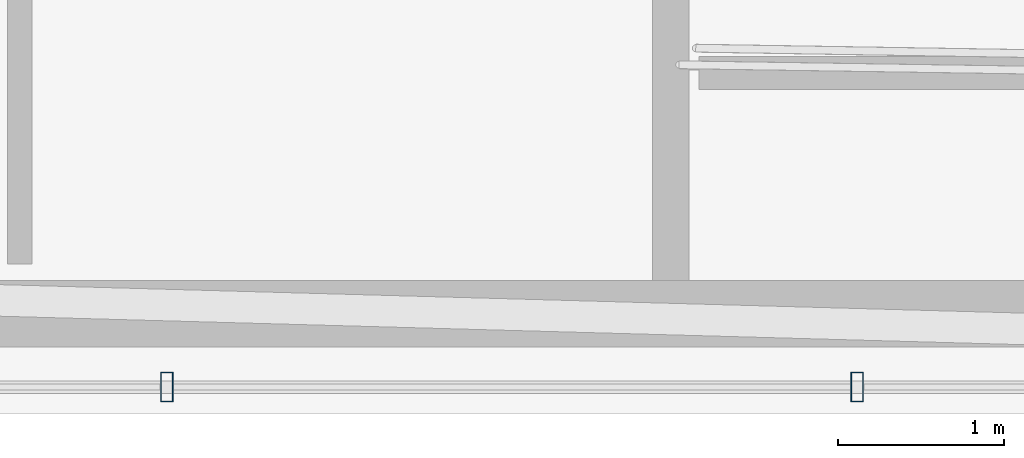
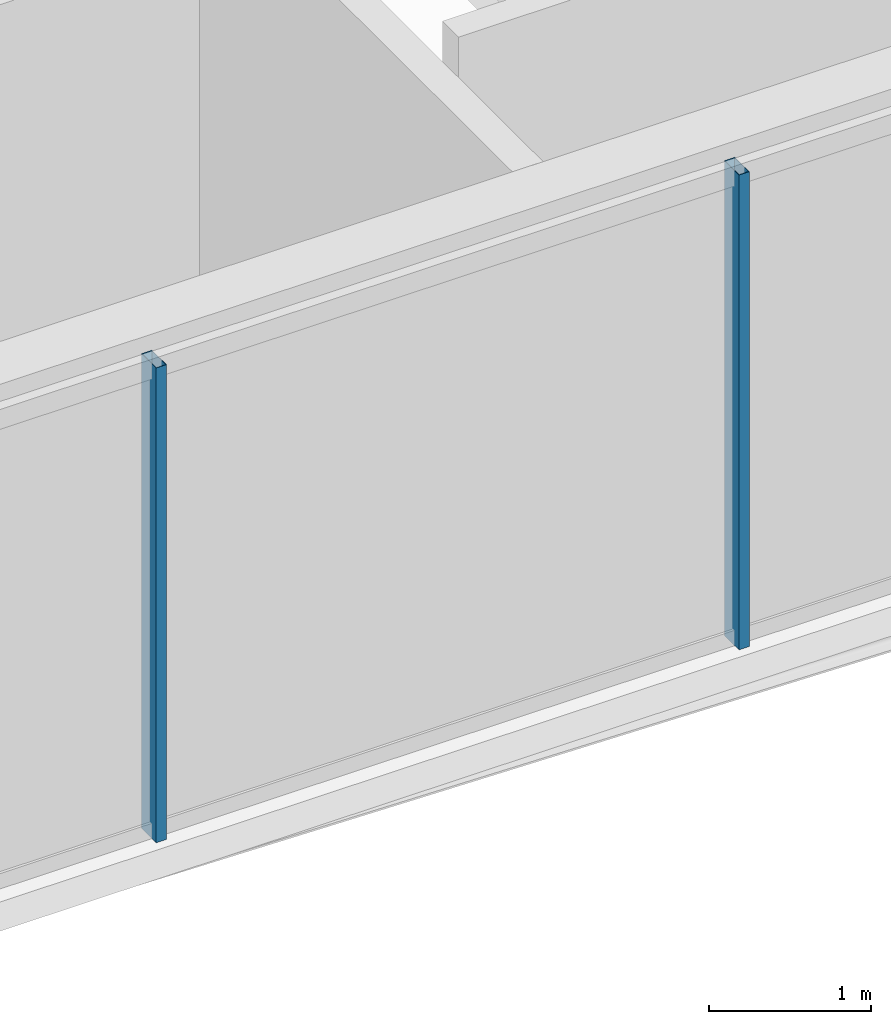
# One storey, part 7 of 35: 2 members, 1 element without a shape of its own.
"""IFC4 building model written with IfcOpenShell, lengths in metres."""

import ifcopenshell
import ifcopenshell.guid

model = None  # the IFC model being written
_history = None  # IfcOwnerHistory: only IFC2X3 demands one
_inside = {}  # id of a spatial element -> (the spatial element, [elements in it])
_under = {}  # id of a project, library or spatial element -> (it, [spatial elements below it])
_declared = {}  # id of a project -> (the project, [libraries it declares])
_typed = {}  # id of a type object -> (the type object, [elements of that type])
_made_of = {}  # id of a material, layer set ... -> (it, [elements and type objects made of it])


def new_model(schema):
    """Start an empty IFC model of exactly this schema.

    Asked for "IFC4X3", IfcOpenShell would pick the latest addendum, in which some entities
    have other attributes; the version numbers below select the first issue.
    IFC2X3 requires an IfcOwnerHistory on every rooted entity: one is made here for all.
    """
    global model, _history
    if schema == "IFC4X3":
        model = ifcopenshell.file(schema_version=(4, 3, 0, 0))
    else:
        model = ifcopenshell.file(schema=schema)
    _inside.clear()
    _under.clear()
    _declared.clear()
    _typed.clear()
    _made_of.clear()
    _history = None
    if model.schema == "IFC2X3":
        org = make("IfcOrganization", Name="unknown")
        user = make(
            "IfcPersonAndOrganization",
            ThePerson=make("IfcPerson", FamilyName="unknown"),
            TheOrganization=org,
        )
        app = make(
            "IfcApplication",
            ApplicationDeveloper=org,
            Version="unknown",
            ApplicationFullName="unknown",
            ApplicationIdentifier="unknown",
        )
        _history = make(
            "IfcOwnerHistory",
            OwningUser=user,
            OwningApplication=app,
            ChangeAction="ADDED",
            CreationDate=0,
        )
    return model


def make(cls, **values):
    """One entity of the class cls with the attributes given. An attribute that is None is left unset."""
    return model.create_entity(
        cls, **{name: value for name, value in values.items() if value is not None}
    )


def rooted(cls, **values):
    """An entity with a GlobalId (a new one), such as an element, a storey or a relation."""
    return make(cls, GlobalId=ifcopenshell.guid.new(), OwnerHistory=_history, **values)


def si_unit(unit_type, name, prefix=None):
    """IfcSIUnit, for example si_unit("LENGTHUNIT", "METRE", prefix="MILLI")."""
    return make("IfcSIUnit", UnitType=unit_type, Prefix=prefix, Name=name)


def assignment(units):
    """IfcUnitAssignment: the units of a project."""
    return None if units is None else make("IfcUnitAssignment", Units=units)


def point(xyz):
    """IfcCartesianPoint."""
    return None if xyz is None else make("IfcCartesianPoint", Coordinates=xyz)


def direction(xyz):
    """IfcDirection."""
    return None if xyz is None else make("IfcDirection", DirectionRatios=xyz)


def frame(location, z_axis=None, x_axis=None):
    """IfcAxis2Placement3D, a coordinate frame: its origin and axes. An axis left out is left unset."""
    return make(
        "IfcAxis2Placement3D",
        Location=point(location),
        Axis=direction(z_axis),
        RefDirection=direction(x_axis),
    )


def frame_2d(location, x_axis=None):
    """IfcAxis2Placement2D, a coordinate frame in the plane: its origin and x axis."""
    return make(
        "IfcAxis2Placement2D", Location=point(location), RefDirection=direction(x_axis)
    )


def origin():
    """The frame at (0, 0, 0) with its axes left unset."""
    return frame((0.0, 0.0, 0.0))


def origin_2d():
    """The frame at (0, 0) in the plane with its x axis left unset."""
    return frame_2d((0.0, 0.0))


def place(relative_to, where):
    """IfcLocalPlacement: puts the frame where relative to a parent placement (None: the world)."""
    return make(
        "IfcLocalPlacement", PlacementRelTo=relative_to, RelativePlacement=where
    )


def context(
    kind, dimensions, precision=None, world=None, true_north=None, identifier=None
):
    """IfcGeometricRepresentationContext, for example the 3D "Model" context."""
    return make(
        "IfcGeometricRepresentationContext",
        ContextIdentifier=identifier,
        ContextType=kind,
        CoordinateSpaceDimension=dimensions,
        Precision=precision,
        WorldCoordinateSystem=world,
        TrueNorth=true_north,
    )


def subcontext(parent, identifier, kind, view, scale=None):
    """IfcGeometricRepresentationSubContext, for example "Body" below "Model"."""
    return make(
        "IfcGeometricRepresentationSubContext",
        ContextIdentifier=identifier,
        ContextType=kind,
        ParentContext=parent,
        TargetScale=scale,
        TargetView=view,
    )


def project(units=None, contexts=None):
    """IfcProject with its units and contexts."""
    return rooted(
        "IfcProject",
        Name="project",
        RepresentationContexts=contexts,
        UnitsInContext=assignment(units),
    )


def spatial(cls, under=None, at=None, **own):
    """A site, building, storey or space (cls), placed at a placement, below another one or the project."""
    s = rooted(cls, ObjectPlacement=at, **own)
    if under is not None:
        _under.setdefault(under.id(), (under, []))[1].append(s)
    return s


def profile(cls, at=None, kind="AREA", **sizes):
    """A parametric profile (cls). Its sizes go by their IFC names, for example OverallWidth=200.0."""
    return make(cls, ProfileType=kind, Position=at, **sizes)


def hollow_rectangle(**sizes):
    """IfcRectangleHollowProfileDef."""
    return profile("IfcRectangleHollowProfileDef", **sizes)


def extrude(swept, where, along, depth):
    """IfcExtrudedAreaSolid: the profile swept, set in the frame where, extruded along a direction by depth."""
    return make(
        "IfcExtrudedAreaSolid",
        SweptArea=swept,
        Position=where,
        ExtrudedDirection=direction(along),
        Depth=depth,
    )


def shape(context_of_items, identifier, shape_type, items):
    """IfcShapeRepresentation: the items that make up one representation, for example the "Body"."""
    return make(
        "IfcShapeRepresentation",
        ContextOfItems=context_of_items,
        RepresentationIdentifier=identifier,
        RepresentationType=shape_type,
        Items=items,
    )


def material(Name=None, Category=None):
    """IfcMaterial."""
    return make("IfcMaterial", Name=Name, Category=Category)


def layer(
    of_material, thickness, ventilated=None, Name=None, Category=None, Priority=None
):
    """IfcMaterialLayer: one layer of a wall or slab, of a material (None: an air gap)."""
    return make(
        "IfcMaterialLayer",
        Material=of_material,
        LayerThickness=thickness,
        IsVentilated=ventilated,
        Name=Name,
        Category=Category,
        Priority=Priority,
    )


def layer_set(layers, Name=None):
    """IfcMaterialLayerSet."""
    return make("IfcMaterialLayerSet", MaterialLayers=layers, LayerSetName=Name)


def material_profile(
    of_material, cross_section, Name=None, Category=None, Priority=None
):
    """IfcMaterialProfile: a cross section and its material."""
    return make(
        "IfcMaterialProfile",
        Name=Name,
        Material=of_material,
        Profile=cross_section,
        Priority=Priority,
        Category=Category,
    )


def profile_set(profiles, Name=None, composite=None):
    """IfcMaterialProfileSet."""
    return make(
        "IfcMaterialProfileSet",
        Name=Name,
        MaterialProfiles=profiles,
        CompositeProfile=composite,
    )


def made_of(thing, what):
    """Note that an element or type object is made of a material, layer set ...; save() writes the relation."""
    if what is not None:
        _made_of.setdefault(what.id(), (what, []))[1].append(thing)
    return thing


def type_object(cls, material=None, **own):
    """A type object (cls), such as IfcWallType, which elements share."""
    return made_of(rooted(cls, **own), material)


def element(
    cls,
    number,
    at=None,
    inside=None,
    cuts=None,
    type_object=None,
    material=None,
    context=None,
    identifier="Body",
    shape_type=None,
    held_by="IfcProductDefinitionShape",
    body=None,
    shapes=None,
    **own,
):
    """One element of the class cls, such as IfcWall. Its Tag is "e" and its number.

    at: its placement. inside: the storey or other place that contains it. cuts: it is an
    opening in that element (IfcRelVoidsElement). A single representation is given by context,
    identifier, shape_type and body (its items); several are given by shapes. held_by: the class
    of the entity that holds the representations. save() writes the other relations.
    """
    e = rooted(cls, Tag="e%d" % number, ObjectPlacement=at, **own)
    if body is not None:
        shapes = [shape(context, identifier, shape_type, body)]
    if shapes is not None:
        e.Representation = make(held_by, Representations=shapes)
    if inside is not None:
        _inside.setdefault(inside.id(), (inside, []))[1].append(e)
    if cuts is not None:
        rooted(
            "IfcRelVoidsElement", RelatingBuildingElement=cuts, RelatedOpeningElement=e
        )
    if type_object is not None:
        _typed.setdefault(type_object.id(), (type_object, []))[1].append(e)
    return made_of(e, material)


def aggregate(whole, parts):
    """IfcRelAggregates: a whole, such as a stair, and the parts it consists of."""
    return rooted("IfcRelAggregates", RelatingObject=whole, RelatedObjects=parts)


def save(model, path):
    """Write the relations noted so far, then the file.

    IfcRelAggregates (storeys below a building ...), IfcRelContainedInSpatialStructure (elements
    in a storey), IfcRelDefinesByType, IfcRelAssociatesMaterial and IfcRelDeclares: one each for
    every whole, place, type object, material and project.
    """
    for whole, parts in _under.values():
        aggregate(whole, parts)
    for where, things in _inside.values():
        rooted(
            "IfcRelContainedInSpatialStructure",
            RelatedElements=things,
            RelatingStructure=where,
        )
    for kind, things in _typed.values():
        rooted("IfcRelDefinesByType", RelatedObjects=things, RelatingType=kind)
    for what, things in _made_of.values():
        rooted("IfcRelAssociatesMaterial", RelatedObjects=things, RelatingMaterial=what)
    for by, libraries in _declared.values():
        rooted("IfcRelDeclares", RelatingContext=by, RelatedDefinitions=libraries)
    model.write(path)


model = new_model("IFC4")

# Units and contexts
model_context = context("Model", 3, precision=1e-05, world=origin(), true_north=direction((0.0, 1.0)))
body_context = subcontext(model_context, "Body", "Model", "MODEL_VIEW")
ifc_project = project(units=[si_unit("LENGTHUNIT", "METRE"), si_unit("AREAUNIT", "SQUARE_METRE"), si_unit("VOLUMEUNIT", "CUBIC_METRE"), si_unit("PLANEANGLEUNIT", "RADIAN"), si_unit("MASSUNIT", "GRAM", prefix="KILO")], contexts=[model_context])

# Site, building, storey
site_placement = place(None, origin())
site = spatial("IfcSite", under=ifc_project, at=site_placement, CompositionType="ELEMENT")
building_placement = place(site_placement, origin())
building = spatial("IfcBuilding", under=site, at=building_placement, Name="Ndaravel Arena Tower", CompositionType="ELEMENT")
storey_placement = place(building_placement, frame((0.0, 0.0, 176.39990234375)))
storey = spatial("IfcBuildingStorey", under=building, at=storey_placement, Name="L42", CompositionType="ELEMENT", Elevation=176.39990234375)

# Curtain wall, members
ifc_material_1 = material(Name="Aluminium", Category="aluminium")
ifc_layer = layer(ifc_material_1, 0.179931640625)
ifc_layer_set = layer_set([ifc_layer], Name="Aluminium")
curtain_wall_type = type_object("IfcCurtainWallType", Name="CW-SYS-03", PredefinedType="NOTDEFINED", material=ifc_layer_set)
curtain_wall_placement = place(storey_placement, origin())
curtain_wall = element("IfcCurtainWall", 1, at=curtain_wall_placement, inside=storey, type_object=curtain_wall_type, Name="L42 Faceted Crystal Curtain Wall CW-L42-E01", PredefinedType="NOTDEFINED")
ifc_material_2 = material(Name="Aluminium", Category="aluminium")
ifc_material_profile = material_profile(ifc_material_2, hollow_rectangle(XDim=0.074951171875, YDim=0.179931640625, WallThickness=0.00390625, at=origin_2d()), Name="CW MULLION 75x180x4")
ifc_profile_set = profile_set([ifc_material_profile], Name="Aluminium")
member_type = type_object("IfcMemberType", Name="MEM-CW-MUL180", PredefinedType="MULLION", material=ifc_profile_set)
member_1_placement = place(storey_placement, frame((35.765380859375, 5.159912109375, 0.0), z_axis=(0.0, 0.0, 1.0), x_axis=(1.0, 0.0, 0.0)))
member_1 = element("IfcMember", 2, at=member_1_placement, type_object=member_type, Name="CW-L42-E01 Mullion 03", PredefinedType="MULLION", context=body_context, shape_type="SweptSolid", body=[
    extrude(hollow_rectangle(XDim=0.074951171875, YDim=0.179931640625, WallThickness=0.00390625, at=origin_2d()), origin(), (0.0, 0.0, 1.0), 3.580078125),
])
member_2_placement = place(storey_placement, frame((39.921875, 5.159912109375, 0.0), z_axis=(0.0, 0.0, 1.0), x_axis=(1.0, 0.0, 0.0)))
member_2 = element("IfcMember", 3, at=member_2_placement, type_object=member_type, Name="CW-L42-E01 Mullion 04", PredefinedType="MULLION", context=body_context, shape_type="SweptSolid", body=[
    extrude(hollow_rectangle(XDim=0.074951171875, YDim=0.179931640625, WallThickness=0.00390625, at=origin_2d()), origin(), (0.0, 0.0, 1.0), 3.580078125),
])
aggregate(curtain_wall, [member_1, member_2])

save(model, "model.ifc")
